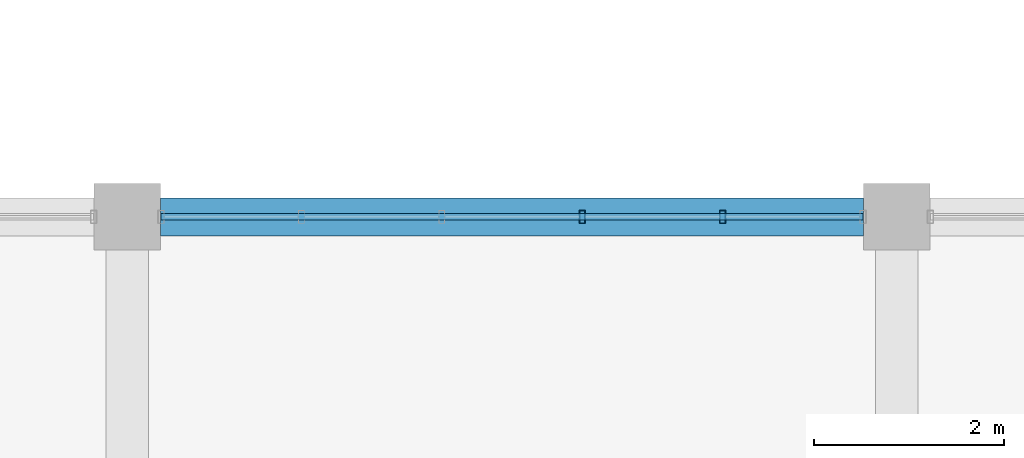
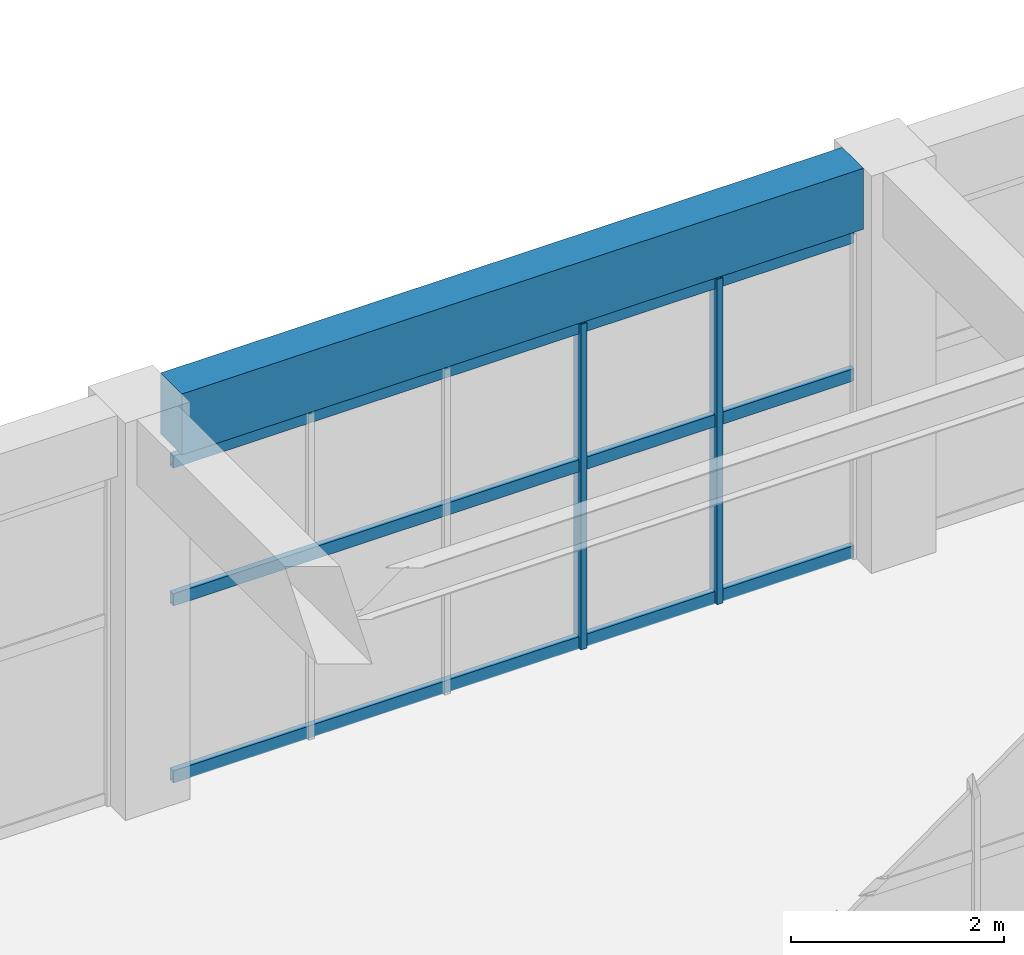
# One storey, part 32 of 161: 5 members, 1 beam, 1 element without a shape of its own.
"""IFC4 building model written with IfcOpenShell, lengths in metres."""

from ifc_helpers import new_model, si_unit, direction, frame, origin, origin_2d, place, context, subcontext, project, spatial, rectangle, hollow_rectangle, extrude, material, material_profile, profile_set, type_object, element, aggregate, save


model = new_model("IFC4")

# Units and contexts
model_context = context("Model", 3, precision=1e-05, world=origin(), true_north=direction((0.0, 1.0)))
body_context = subcontext(model_context, "Body", "Model", "MODEL_VIEW")
ifc_project = project(units=[si_unit("LENGTHUNIT", "METRE"), si_unit("AREAUNIT", "SQUARE_METRE"), si_unit("VOLUMEUNIT", "CUBIC_METRE"), si_unit("PLANEANGLEUNIT", "RADIAN"), si_unit("MASSUNIT", "GRAM", prefix="KILO")], contexts=[model_context])

# Site, building, storey
site_placement = place(None, origin())
site = spatial("IfcSite", under=ifc_project, at=site_placement, CompositionType="ELEMENT")
building_placement = place(site_placement, origin())
building = spatial("IfcBuilding", under=site, at=building_placement, Name="Cimatlan Art Gallery", CompositionType="ELEMENT")
storey_placement = place(building_placement, frame((0.0, 0.0, 5.39990234375)))
storey = spatial("IfcBuildingStorey", under=building, at=storey_placement, Name="L01", CompositionType="ELEMENT", Elevation=5.39990234375)

# Beam
ifc_material_1 = material(Name="Concrete C40/50", Category="concrete")
ifc_material_profile_1 = material_profile(ifc_material_1, rectangle(XDim=0.39990234375, YDim=0.699951171875, at=origin_2d()), Name="RC400X700")
ifc_profile_set_1 = profile_set([ifc_material_profile_1], Name="Concrete C40/50")
beam_type = type_object("IfcBeamType", Name="BM-RC-400X700", PredefinedType="BEAM", material=ifc_profile_set_1)
beam_placement = place(storey_placement, frame((59.050048828125, 60.89990234375, 4.210205078125), z_axis=(1.0, 0.0, 0.0), x_axis=(0.0, 1.0, 0.0)))
element("IfcBeam", 1, at=beam_placement, inside=storey, type_object=beam_type, Name="BM-X-L01-07-08", PredefinedType="BEAM", context=body_context, shape_type="SweptSolid", body=[
    extrude(rectangle(XDim=0.39990234375, YDim=0.699951171875, at=origin_2d()), origin(), (0.0, 0.0, 1.0), 7.39990234375),
])

# Curtain wall, members
ifc_material_2 = material(Name="Anodised bronze unitised curtain wall")
curtain_wall_type = type_object("IfcCurtainWallType", Name="CW-V-07392X03735-B5", PredefinedType="NOTDEFINED", material=ifc_material_2)
curtain_wall_placement = place(storey_placement, origin())
curtain_wall = element("IfcCurtainWall", 2, at=curtain_wall_placement, inside=storey, type_object=curtain_wall_type, Name="CW-L01-07-07-N", PredefinedType="NOTDEFINED")
ifc_material_3 = material(Name="Anodised bronze aluminium 6063-T6", Category="aluminium")
ifc_material_profile_2 = material_profile(ifc_material_3, hollow_rectangle(XDim=0.06494140625, YDim=0.139892578125, WallThickness=0.00390625, at=origin_2d()), Name="ALU65X140X4")
ifc_profile_set_2 = profile_set([ifc_material_profile_2], Name="Anodised bronze aluminium 6063-T6")
member_type_1 = type_object("IfcMemberType", Name="CW-MUL-140", PredefinedType="MULLION", material=ifc_profile_set_2)
member_1_placement = place(storey_placement, frame((63.4892578125, 60.89990234375, 0.0), z_axis=(0.0, 0.0, 1.0), x_axis=(1.0, 0.0, 0.0)))
member_1 = element("IfcMember", 3, at=member_1_placement, type_object=member_type_1, Name="CW-L01-07-07-N-M4", PredefinedType="MULLION", context=body_context, shape_type="SweptSolid", body=[
    extrude(hollow_rectangle(XDim=0.06494140625, YDim=0.139892578125, WallThickness=0.00390625, at=origin_2d()), origin(), (0.0, 0.0, 1.0), 3.735107421875),
])
member_2_placement = place(storey_placement, frame((64.967529296875, 60.89990234375, 0.0), z_axis=(0.0, 0.0, 1.0), x_axis=(1.0, 0.0, 0.0)))
member_2 = element("IfcMember", 4, at=member_2_placement, type_object=member_type_1, Name="CW-L01-07-07-N-M5", PredefinedType="MULLION", context=body_context, shape_type="SweptSolid", body=[
    extrude(hollow_rectangle(XDim=0.06494140625, YDim=0.139892578125, WallThickness=0.00390625, at=origin_2d()), origin(), (0.0, 0.0, 1.0), 3.735107421875),
])
ifc_material_profile_3 = material_profile(ifc_material_3, hollow_rectangle(XDim=0.06494140625, YDim=0.139892578125, WallThickness=0.00390625, at=origin_2d()), Name="ALU65X140X4")
ifc_profile_set_3 = profile_set([ifc_material_profile_3], Name="Anodised bronze aluminium 6063-T6")
member_type_2 = type_object("IfcMemberType", Name="CW-TRN-140", PredefinedType="USERDEFINED", material=ifc_profile_set_3)
member_3_placement = place(storey_placement, frame((59.053955078125, 60.89990234375, 0.06005859375), z_axis=(1.0, 0.0, 0.0), x_axis=(0.0, 1.0, 0.0)))
member_3 = element("IfcMember", 5, at=member_3_placement, type_object=member_type_2, Name="CW-L01-07-07-N-T1", ObjectType="TRANSOM", PredefinedType="USERDEFINED", context=body_context, shape_type="SweptSolid", body=[
    extrude(hollow_rectangle(XDim=0.06494140625, YDim=0.139892578125, WallThickness=0.00390625, at=origin_2d()), origin(), (0.0, 0.0, 1.0), 7.39208984375),
])
member_4_placement = place(storey_placement, frame((59.053955078125, 60.89990234375, 2.091796875), z_axis=(1.0, 0.0, 0.0), x_axis=(0.0, 1.0, 0.0)))
member_4 = element("IfcMember", 6, at=member_4_placement, type_object=member_type_2, Name="CW-L01-07-07-N-T2", ObjectType="TRANSOM", PredefinedType="USERDEFINED", context=body_context, shape_type="SweptSolid", body=[
    extrude(hollow_rectangle(XDim=0.06494140625, YDim=0.139892578125, WallThickness=0.00390625, at=origin_2d()), origin(), (0.0, 0.0, 1.0), 7.39208984375),
])
member_5_placement = place(storey_placement, frame((59.053955078125, 60.89990234375, 3.675048828125), z_axis=(1.0, 0.0, 0.0), x_axis=(0.0, 1.0, 0.0)))
member_5 = element("IfcMember", 7, at=member_5_placement, type_object=member_type_2, Name="CW-L01-07-07-N-T3", ObjectType="TRANSOM", PredefinedType="USERDEFINED", context=body_context, shape_type="SweptSolid", body=[
    extrude(hollow_rectangle(XDim=0.06494140625, YDim=0.139892578125, WallThickness=0.00390625, at=origin_2d()), origin(), (0.0, 0.0, 1.0), 7.39208984375),
])
aggregate(curtain_wall, [member_1, member_2, member_3, member_4, member_5])

save(model, "model.ifc")
